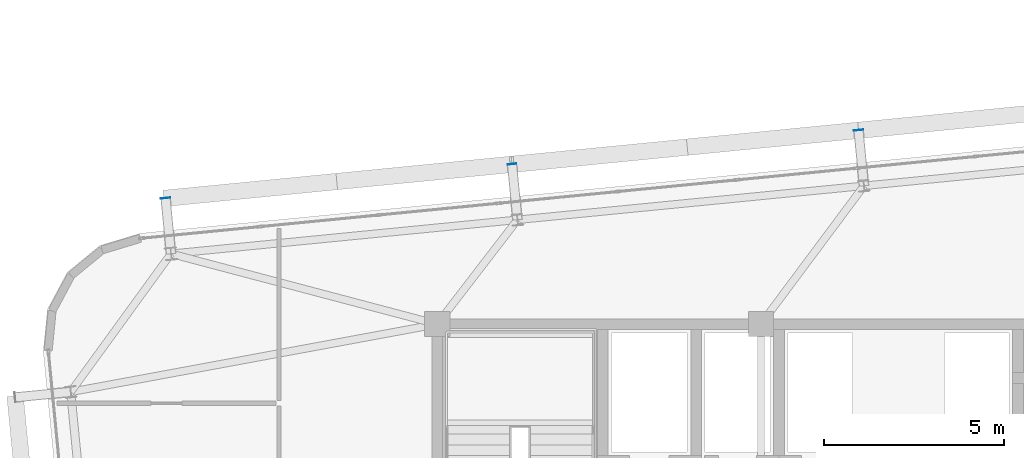
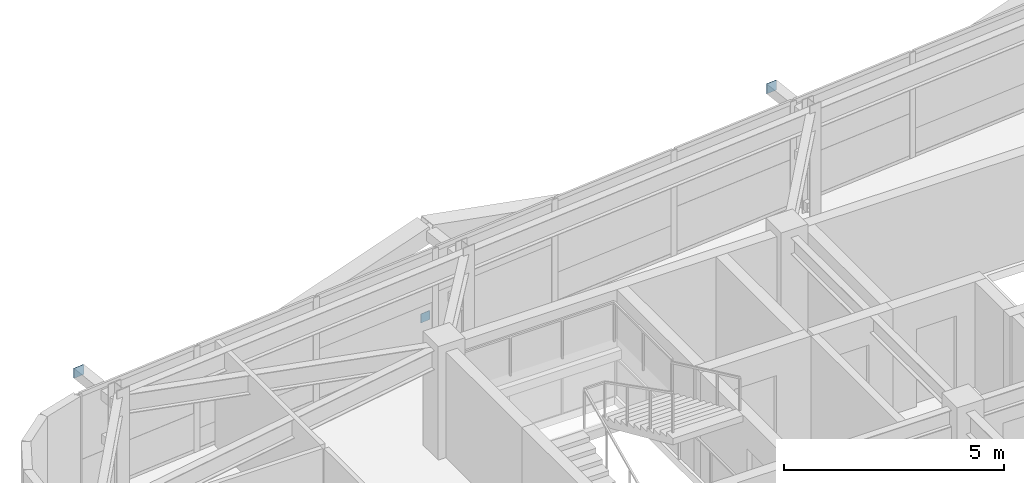
# One storey, part 43 of 53: 3 plates.
"""IFC4 building model written with IfcOpenShell, lengths in metres."""

from ifc_helpers import new_model, si_unit, direction, frame, origin, origin_2d, place, context, subcontext, project, spatial, rectangle, extrude, source, transform, mapped, material, layer, layer_set, type_object, element, save


model = new_model("IFC4")

# Units and contexts
model_context = context("Model", 3, precision=1e-05, world=origin(), true_north=direction((0.0, 1.0)))
body_context = subcontext(model_context, "Body", "Model", "MODEL_VIEW")
ifc_project = project(units=[si_unit("LENGTHUNIT", "METRE"), si_unit("AREAUNIT", "SQUARE_METRE"), si_unit("VOLUMEUNIT", "CUBIC_METRE"), si_unit("PLANEANGLEUNIT", "RADIAN"), si_unit("MASSUNIT", "GRAM", prefix="KILO")], contexts=[model_context])

# Site, building, storey
site_placement = place(None, origin())
site = spatial("IfcSite", under=ifc_project, at=site_placement, CompositionType="ELEMENT")
building_placement = place(site_placement, origin())
building = spatial("IfcBuilding", under=site, at=building_placement, Name="Taldren Reach Tower", CompositionType="ELEMENT")
storey_placement = place(building_placement, frame((0.0, 0.0, 80.85009765625)))
storey = spatial("IfcBuildingStorey", under=building, at=storey_placement, Name="L24", CompositionType="ELEMENT", Elevation=80.85009765625)

# Plates
ifc_material_1 = material(Name="Steel Gr 450 (C450L0)", Category="steel")
ifc_layer_1 = layer(ifc_material_1, 0.011962890625)
ifc_layer_set_1 = layer_set([ifc_layer_1], Name="Steel Gr 450 (C450L0)")
plate_type_1 = type_object("IfcPlateType", Name="PL-CAP-275", PredefinedType="SHEET", material=ifc_layer_set_1)
shared_shape_1 = source(origin(), body_context, "Body", "SweptSolid", [
    extrude(rectangle(XDim=0.27490234375, YDim=0.011962890625, at=origin_2d()), origin(), (0.0, 0.0, 1.0), 0.27490234375),
])
for number, where, z_axis, x_axis, name in (
    (1, (11.445068359375, 35.50537109375, 2.512451171875), (0.0, 0.0, 1.0), (0.995227399982, 0.097582899759, 0.0), "Tie strut end cap plate B2-N1 L24"),
    (2, (30.712646484375, 37.394775390625, 2.512451171875), (0.0, 0.0, 1.0), (0.995227399982, 0.097582899759, 0.0), "Tie strut end cap plate B2-N3 L24"),
):
    element("IfcPlate", number, at=place(storey_placement, frame(where, z_axis=z_axis, x_axis=x_axis)), inside=storey, type_object=plate_type_1, Name=name, PredefinedType="SHEET", context=body_context, shape_type="MappedRepresentation", body=[
        mapped(shared_shape_1, transform((0.0, 0.0, 0.0), scale=1.0)),
    ])
ifc_material_2 = material(Name="Steel Gr 350 (C350L0)", Category="steel")
ifc_layer_2 = layer(ifc_material_2, 0.011962890625)
ifc_layer_set_2 = layer_set([ifc_layer_2], Name="Steel Gr 350 (C350L0)")
plate_type_2 = type_object("IfcPlateType", Name="PL-CAP-250", PredefinedType="SHEET", material=ifc_layer_set_2)
shared_shape_2 = source(origin(), body_context, "Body", "SweptSolid", [
    extrude(rectangle(XDim=0.25, YDim=0.011962890625, at=origin_2d()), origin(), (0.0, 0.0, 1.0), 0.25),
])
plate_placement = place(storey_placement, frame((21.078857421875, 36.449951171875, 0.094970703125), z_axis=(0.0, 0.0, 1.0), x_axis=(0.995227399982, 0.097582899759, 0.0)))
element("IfcPlate", 3, at=plate_placement, inside=storey, type_object=plate_type_2, Name="Tie strut end cap plate B2-N2 L24", PredefinedType="SHEET", context=body_context, shape_type="MappedRepresentation", body=[
    mapped(shared_shape_2, transform((0.0, 0.0, 0.0), scale=1.0)),
])

save(model, "model.ifc")
